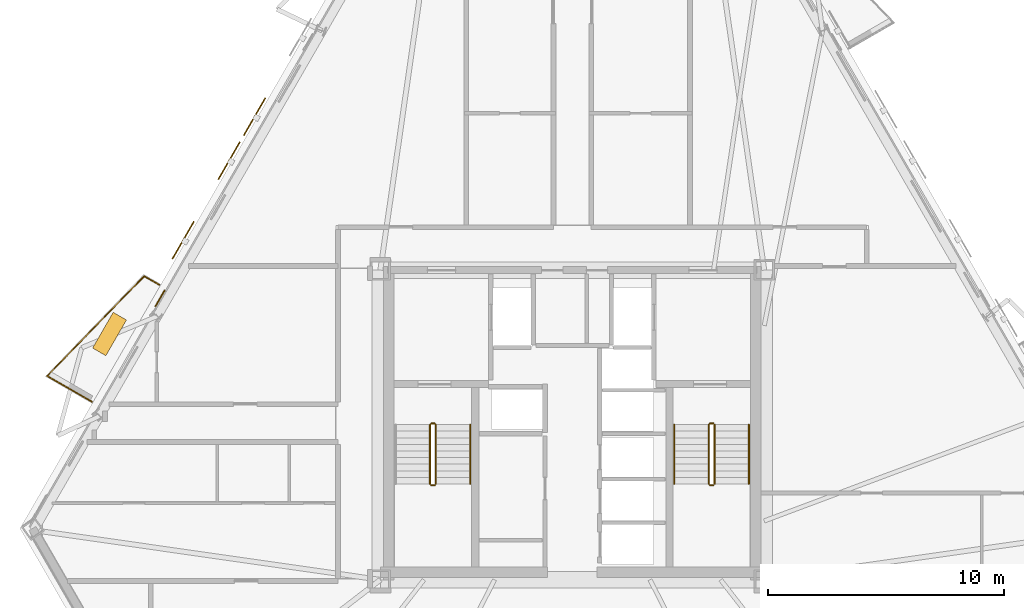
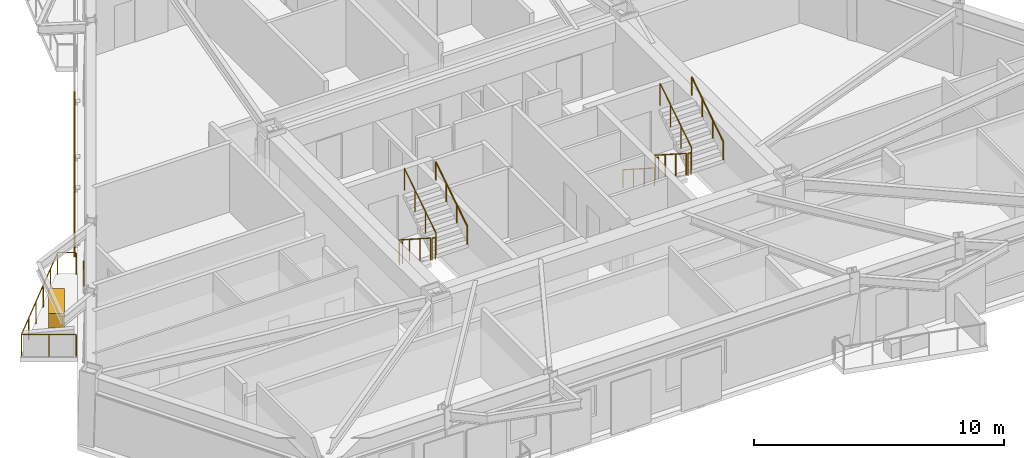
# One storey, part 8 of 9: 14 railings, 3 shading devices, 2 coverings.
"""IFC4 building model written with IfcOpenShell, lengths in metres."""

from ifc_helpers import new_model, si_unit, direction, frame, origin, origin_2d, place, context, subcontext, project, spatial, rectangle, circle, extrude, material, layer, layer_set, type_object, element, save


model = new_model("IFC4")

# Units and contexts
model_context = context("Model", 3, precision=1e-05, world=origin(), true_north=direction((0.0, 1.0)))
body_context = subcontext(model_context, "Body", "Model", "MODEL_VIEW")
ifc_project = project(units=[si_unit("LENGTHUNIT", "METRE"), si_unit("AREAUNIT", "SQUARE_METRE"), si_unit("VOLUMEUNIT", "CUBIC_METRE"), si_unit("PLANEANGLEUNIT", "RADIAN"), si_unit("MASSUNIT", "GRAM", prefix="KILO")], contexts=[model_context])

# Site, building, storey
site_placement = place(None, origin())
site = spatial("IfcSite", under=ifc_project, at=site_placement, CompositionType="ELEMENT")
building_placement = place(site_placement, origin())
building = spatial("IfcBuilding", under=site, at=building_placement, Name="Oramaril Tower", CompositionType="ELEMENT")
storey_placement = place(building_placement, frame((0.0, 0.0, 119.39990234375)))
storey = spatial("IfcBuildingStorey", under=building, at=storey_placement, Name="L31", CompositionType="ELEMENT", Elevation=119.39990234375)

# Coverings
ifc_material_1 = material(Name="Warm Cream Limestone", Category="masonry")
ifc_layer = layer(ifc_material_1, 0.050048828125)
ifc_layer_set = layer_set([ifc_layer], Name="CVT-CLD")
covering_type = type_object("IfcCoveringType", Name="CVT-CLD", PredefinedType="CLADDING", material=ifc_layer_set)
covering_1_placement = place(storey_placement, frame((20.000244140625, 22.949462890625, 0.0400390625), z_axis=(0.0, 0.0, 1.0), x_axis=(-0.5, -0.866025403784, 0.0)))
element("IfcCovering", 1, at=covering_1_placement, inside=storey, type_object=covering_type, Name="L31 Warm Cream Limestone Spandrel Cladding", PredefinedType="CLADDING", context=body_context, shape_type="SweptSolid", body=[
    extrude(rectangle(XDim=0.800048828125, YDim=0.050048828125, at=origin_2d()), origin(), (0.0, 0.0, 1.0), 0.679931640625),
])
covering_2_placement = place(storey_placement, frame((17.8525390625, 21.4365234375, 0.0), z_axis=(0.0, 0.0, 1.0), x_axis=(-0.5, -0.866025403784, 0.0)))
element("IfcCovering", 2, at=covering_2_placement, inside=storey, type_object=covering_type, Name="L31 Structural Tree Planter Box L31-BAL-NW2", PredefinedType="CLADDING", context=body_context, shape_type="SweptSolid", body=[
    extrude(rectangle(XDim=1.75, YDim=0.64990234375, at=origin_2d()), origin(), (0.0, 0.0, 1.0), 0.699951171875),
])

# Railings
ifc_material_2 = material(Name="Stainless Steel 316L", Category="steel")
railing_type_1 = type_object("IfcRailingType", Name="RLT-GRD", PredefinedType="GUARDRAIL", material=ifc_material_2)
railing_1_placement = place(storey_placement, frame((17.102783203125, 18.56103515625, 0.0)))
element("IfcRailing", 3, at=railing_1_placement, inside=storey, type_object=railing_type_1, Name="L31 Balcony Guardrail L31-BAL-NW2.1", PredefinedType="GUARDRAIL", context=body_context, shape_type="SweptSolid", body=[
    extrude(circle(Radius=0.02392578125, at=origin_2d()), frame((0.0, 0.0, 1.076171875), z_axis=(-0.866020500697, 0.5000084923, 0.0), x_axis=(-0.5000084923, -0.866020500697, 0.0)), (0.0, 0.0, 1.0), 2.19189453125),
    extrude(circle(Radius=0.02099609375, at=origin_2d()), origin(), (0.0, 0.0, 1.0), 1.052001953125),
    extrude(circle(Radius=0.02099609375, at=origin_2d()), frame((-0.94921875, 0.5478515625, 0.0)), (0.0, 0.0, 1.0), 1.052001953125),
    extrude(circle(Radius=0.02099609375, at=origin_2d()), frame((-1.898193359375, 1.095947265625, 0.0)), (0.0, 0.0, 1.0), 1.052001953125),
])
railing_2_placement = place(storey_placement, frame((15.20458984375, 19.656982421875, 0.0)))
element("IfcRailing", 4, at=railing_2_placement, inside=storey, type_object=railing_type_1, Name="L31 Balcony Guardrail L31-BAL-NW2.2", PredefinedType="GUARDRAIL", context=body_context, shape_type="SweptSolid", body=[
    extrude(circle(Radius=0.02392578125, at=origin_2d()), frame((0.0, 0.0, 1.076171875), z_axis=(0.697186915353, 0.716889395277, 0.0), x_axis=(-0.716889395277, 0.697186915353, 0.0)), (0.0, 0.0, 1.0), 5.91064453125),
    extrude(circle(Radius=0.02099609375, at=origin_2d()), origin(), (0.0, 0.0, 1.0), 1.052001953125),
    extrude(circle(Radius=0.02099609375, at=origin_2d()), frame((0.82421875, 0.847412109375, 0.0)), (0.0, 0.0, 1.0), 1.052001953125),
    extrude(circle(Radius=0.02099609375, at=origin_2d()), frame((1.6484375, 1.69482421875, 0.0)), (0.0, 0.0, 1.0), 1.052001953125),
    extrude(circle(Radius=0.02099609375, at=origin_2d()), frame((2.472412109375, 2.54248046875, 0.0)), (0.0, 0.0, 1.0), 1.052001953125),
    extrude(circle(Radius=0.02099609375, at=origin_2d()), frame((3.296630859375, 3.389892578125, 0.0)), (0.0, 0.0, 1.0), 1.052001953125),
    extrude(circle(Radius=0.02099609375, at=origin_2d()), frame((4.120849609375, 4.2373046875, 0.0)), (0.0, 0.0, 1.0), 1.052001953125),
])
railing_3_placement = place(storey_placement, frame((19.325439453125, 23.894287109375, 0.0)))
element("IfcRailing", 5, at=railing_3_placement, inside=storey, type_object=railing_type_1, Name="L31 Balcony Guardrail L31-BAL-NW2.3", PredefinedType="GUARDRAIL", context=body_context, shape_type="SweptSolid", body=[
    extrude(circle(Radius=0.02392578125, at=origin_2d()), frame((0.0, 0.0, 1.076171875), z_axis=(0.866108878364, -0.499855389907, 0.0), x_axis=(0.499855389907, 0.866108878364, 0.0)), (0.0, 0.0, 1.0), 0.741943359375),
    extrude(circle(Radius=0.02099609375, at=origin_2d()), origin(), (0.0, 0.0, 1.0), 1.052001953125),
    extrude(circle(Radius=0.02099609375, at=origin_2d()), frame((0.642578125, -0.370849609375, 0.0)), (0.0, 0.0, 1.0), 1.052001953125),
])
railing_4_placement = place(storey_placement, frame((31.4599609375, 17.590087890625, 0.18017578125)))
element("IfcRailing", 6, at=railing_4_placement, inside=storey, type_object=railing_type_1, Name="L31 ST-1 stair guard 1", PredefinedType="GUARDRAIL", context=body_context, shape_type="SweptSolid", body=[
    extrude(circle(Radius=0.02392578125, at=origin_2d()), frame((0.0, 0.0, 1.076171875), z_axis=(0.0, -0.841199657755, 0.540724639528), x_axis=(1.0, 0.0, 0.0)), (0.0, 0.0, 1.0), 2.995849609375),
    extrude(circle(Radius=0.02099609375, at=origin_2d()), origin(), (0.0, 0.0, 1.0), 1.052001953125),
    extrude(circle(Radius=0.02099609375, at=origin_2d()), frame((0.0, -0.840087890625, 0.5400390625)), (0.0, 0.0, 1.0), 1.052001953125),
    extrude(circle(Radius=0.02099609375, at=origin_2d()), frame((0.0, -1.679931640625, 1.079833984375)), (0.0, 0.0, 1.0), 1.052001953125),
    extrude(circle(Radius=0.02099609375, at=origin_2d()), frame((0.0, -2.52001953125, 1.619873046875)), (0.0, 0.0, 1.0), 1.052001953125),
])
railing_5_placement = place(storey_placement, frame((31.510009765625, 15.02001953125, 1.800048828125)))
element("IfcRailing", 7, at=railing_5_placement, inside=storey, type_object=railing_type_1, Name="L31 ST-1 stair guard 2", PredefinedType="GUARDRAIL", context=body_context, shape_type="SweptSolid", body=[
    extrude(circle(Radius=0.02392578125, at=origin_2d()), frame((0.0, 0.0, 1.076171875), z_axis=(1.0, 0.0, 0.0), x_axis=(0.0, 1.0, 0.0)), (0.0, 0.0, 1.0), 0.14990234375),
    extrude(circle(Radius=0.02099609375, at=origin_2d()), origin(), (0.0, 0.0, 1.0), 1.052001953125),
    extrude(circle(Radius=0.02099609375, at=origin_2d()), frame((0.14990234375, 0.0, 0.0)), (0.0, 0.0, 1.0), 1.052001953125),
])
railing_6_placement = place(storey_placement, frame((31.7099609375, 15.070068359375, 1.97998046875)))
element("IfcRailing", 8, at=railing_6_placement, inside=storey, type_object=railing_type_1, Name="L31 ST-1 stair guard 3", PredefinedType="GUARDRAIL", context=body_context, shape_type="SweptSolid", body=[
    extrude(circle(Radius=0.02392578125, at=origin_2d()), frame((0.0, 0.0, 1.076171875), z_axis=(0.0, 0.841162588446, 0.540782303519), x_axis=(-1.0, 0.0, 0.0)), (0.0, 0.0, 1.0), 2.995849609375),
    extrude(circle(Radius=0.02099609375, at=origin_2d()), origin(), (0.0, 0.0, 1.0), 1.052001953125),
    extrude(circle(Radius=0.02099609375, at=origin_2d()), frame((0.0, 0.840087890625, 0.5400390625)), (0.0, 0.0, 1.0), 1.052001953125),
    extrude(circle(Radius=0.02099609375, at=origin_2d()), frame((0.0, 1.679931640625, 1.080078125)), (0.0, 0.0, 1.0), 1.052001953125),
    extrude(circle(Radius=0.02099609375, at=origin_2d()), frame((0.0, 2.52001953125, 1.6201171875)), (0.0, 0.0, 1.0), 1.052001953125),
])
railing_7_placement = place(storey_placement, frame((31.510009765625, 17.639892578125, 0.0)))
element("IfcRailing", 9, at=railing_7_placement, inside=storey, type_object=railing_type_1, Name="L31 ST-1 stair guard 4", PredefinedType="GUARDRAIL", context=body_context, shape_type="SweptSolid", body=[
    extrude(circle(Radius=0.02392578125, at=origin_2d()), frame((0.0, 0.0, 1.076171875), z_axis=(1.0, 0.0, 0.0), x_axis=(0.0, 1.0, 0.0)), (0.0, 0.0, 1.0), 0.14990234375),
    extrude(circle(Radius=0.02099609375, at=origin_2d()), origin(), (0.0, 0.0, 1.0), 1.052001953125),
    extrude(circle(Radius=0.02099609375, at=origin_2d()), frame((0.14990234375, 0.0, 0.0)), (0.0, 0.0, 1.0), 1.052001953125),
])
railing_8_placement = place(storey_placement, frame((43.2900390625, 17.590087890625, 0.18017578125)))
element("IfcRailing", 10, at=railing_8_placement, inside=storey, type_object=railing_type_1, Name="L31 ST-2 stair guard 1", PredefinedType="GUARDRAIL", context=body_context, shape_type="SweptSolid", body=[
    extrude(circle(Radius=0.02392578125, at=origin_2d()), frame((0.0, 0.0, 1.076171875), z_axis=(0.0, -0.841199657755, 0.540724639528), x_axis=(1.0, 0.0, 0.0)), (0.0, 0.0, 1.0), 2.995849609375),
    extrude(circle(Radius=0.02099609375, at=origin_2d()), origin(), (0.0, 0.0, 1.0), 1.052001953125),
    extrude(circle(Radius=0.02099609375, at=origin_2d()), frame((0.0, -0.840087890625, 0.5400390625)), (0.0, 0.0, 1.0), 1.052001953125),
    extrude(circle(Radius=0.02099609375, at=origin_2d()), frame((0.0, -1.679931640625, 1.079833984375)), (0.0, 0.0, 1.0), 1.052001953125),
    extrude(circle(Radius=0.02099609375, at=origin_2d()), frame((0.0, -2.52001953125, 1.619873046875)), (0.0, 0.0, 1.0), 1.052001953125),
])
railing_9_placement = place(storey_placement, frame((43.340087890625, 15.02001953125, 1.800048828125)))
element("IfcRailing", 11, at=railing_9_placement, inside=storey, type_object=railing_type_1, Name="L31 ST-2 stair guard 2", PredefinedType="GUARDRAIL", context=body_context, shape_type="SweptSolid", body=[
    extrude(circle(Radius=0.02392578125, at=origin_2d()), frame((0.0, 0.0, 1.076171875), z_axis=(1.0, 0.0, 0.0), x_axis=(0.0, 1.0, 0.0)), (0.0, 0.0, 1.0), 0.14990234375),
    extrude(circle(Radius=0.02099609375, at=origin_2d()), origin(), (0.0, 0.0, 1.0), 1.052001953125),
    extrude(circle(Radius=0.02099609375, at=origin_2d()), frame((0.14990234375, 0.0, 0.0)), (0.0, 0.0, 1.0), 1.052001953125),
])
railing_10_placement = place(storey_placement, frame((43.5400390625, 15.070068359375, 1.97998046875)))
element("IfcRailing", 12, at=railing_10_placement, inside=storey, type_object=railing_type_1, Name="L31 ST-2 stair guard 3", PredefinedType="GUARDRAIL", context=body_context, shape_type="SweptSolid", body=[
    extrude(circle(Radius=0.02392578125, at=origin_2d()), frame((0.0, 0.0, 1.076171875), z_axis=(0.0, 0.841162588446, 0.540782303519), x_axis=(-1.0, 0.0, 0.0)), (0.0, 0.0, 1.0), 2.995849609375),
    extrude(circle(Radius=0.02099609375, at=origin_2d()), origin(), (0.0, 0.0, 1.0), 1.052001953125),
    extrude(circle(Radius=0.02099609375, at=origin_2d()), frame((0.0, 0.840087890625, 0.5400390625)), (0.0, 0.0, 1.0), 1.052001953125),
    extrude(circle(Radius=0.02099609375, at=origin_2d()), frame((0.0, 1.679931640625, 1.080078125)), (0.0, 0.0, 1.0), 1.052001953125),
    extrude(circle(Radius=0.02099609375, at=origin_2d()), frame((0.0, 2.52001953125, 1.6201171875)), (0.0, 0.0, 1.0), 1.052001953125),
])
railing_11_placement = place(storey_placement, frame((43.340087890625, 17.639892578125, 0.0)))
element("IfcRailing", 13, at=railing_11_placement, inside=storey, type_object=railing_type_1, Name="L31 ST-2 stair guard 4", PredefinedType="GUARDRAIL", context=body_context, shape_type="SweptSolid", body=[
    extrude(circle(Radius=0.02392578125, at=origin_2d()), frame((0.0, 0.0, 1.076171875), z_axis=(1.0, 0.0, 0.0), x_axis=(0.0, 1.0, 0.0)), (0.0, 0.0, 1.0), 0.14990234375),
    extrude(circle(Radius=0.02099609375, at=origin_2d()), origin(), (0.0, 0.0, 1.0), 1.052001953125),
    extrude(circle(Radius=0.02099609375, at=origin_2d()), frame((0.14990234375, 0.0, 0.0)), (0.0, 0.0, 1.0), 1.052001953125),
])
ifc_material_3 = material(Name="Stainless Steel 316L", Category="steel")
railing_type_2 = type_object("IfcRailingType", Name="RLT-HND", PredefinedType="HANDRAIL", material=ifc_material_3)
railing_12_placement = place(storey_placement, frame((33.169921875, 15.070068359375, 1.97998046875)))
element("IfcRailing", 14, at=railing_12_placement, inside=storey, type_object=railing_type_2, Name="L31 ST-1 stair handrail 2", PredefinedType="HANDRAIL", context=body_context, shape_type="SweptSolid", body=[
    extrude(circle(Radius=0.02392578125, at=origin_2d()), frame((0.0, 0.0, 0.8759765625), z_axis=(0.0, 0.841162588446, 0.540782303519), x_axis=(-1.0, 0.0, 0.0)), (0.0, 0.0, 1.0), 2.995849609375),
    extrude(circle(Radius=0.02099609375, at=origin_2d()), origin(), (0.0, 0.0, 1.0), 0.851806640625),
    extrude(circle(Radius=0.02099609375, at=origin_2d()), frame((0.0, 0.840087890625, 0.5400390625)), (0.0, 0.0, 1.0), 0.851806640625),
    extrude(circle(Radius=0.02099609375, at=origin_2d()), frame((0.0, 1.679931640625, 1.080078125)), (0.0, 0.0, 1.0), 0.851806640625),
    extrude(circle(Radius=0.02099609375, at=origin_2d()), frame((0.0, 2.52001953125, 1.6201171875)), (0.0, 0.0, 1.0), 0.851806640625),
])
railing_13_placement = place(storey_placement, frame((41.830078125, 17.590087890625, 0.18017578125)))
element("IfcRailing", 15, at=railing_13_placement, inside=storey, type_object=railing_type_2, Name="L31 ST-2 stair handrail 1", PredefinedType="HANDRAIL", context=body_context, shape_type="SweptSolid", body=[
    extrude(circle(Radius=0.02392578125, at=origin_2d()), frame((0.0, 0.0, 0.8759765625), z_axis=(0.0, -0.841199657755, 0.540724639528), x_axis=(1.0, 0.0, 0.0)), (0.0, 0.0, 1.0), 2.995849609375),
    extrude(circle(Radius=0.02099609375, at=origin_2d()), origin(), (0.0, 0.0, 1.0), 0.851806640625),
    extrude(circle(Radius=0.02099609375, at=origin_2d()), frame((0.0, -0.840087890625, 0.5400390625)), (0.0, 0.0, 1.0), 0.851806640625),
    extrude(circle(Radius=0.02099609375, at=origin_2d()), frame((0.0, -1.679931640625, 1.079833984375)), (0.0, 0.0, 1.0), 0.851806640625),
    extrude(circle(Radius=0.02099609375, at=origin_2d()), frame((0.0, -2.52001953125, 1.619873046875)), (0.0, 0.0, 1.0), 0.851806640625),
])
railing_14_placement = place(storey_placement, frame((45.0, 15.070068359375, 1.97998046875)))
element("IfcRailing", 16, at=railing_14_placement, inside=storey, type_object=railing_type_2, Name="L31 ST-2 stair handrail 2", PredefinedType="HANDRAIL", context=body_context, shape_type="SweptSolid", body=[
    extrude(circle(Radius=0.02392578125, at=origin_2d()), frame((0.0, 0.0, 0.8759765625), z_axis=(0.0, 0.841162588446, 0.540782303519), x_axis=(-1.0, 0.0, 0.0)), (0.0, 0.0, 1.0), 2.995849609375),
    extrude(circle(Radius=0.02099609375, at=origin_2d()), origin(), (0.0, 0.0, 1.0), 0.851806640625),
    extrude(circle(Radius=0.02099609375, at=origin_2d()), frame((0.0, 0.840087890625, 0.5400390625)), (0.0, 0.0, 1.0), 0.851806640625),
    extrude(circle(Radius=0.02099609375, at=origin_2d()), frame((0.0, 1.679931640625, 1.080078125)), (0.0, 0.0, 1.0), 0.851806640625),
    extrude(circle(Radius=0.02099609375, at=origin_2d()), frame((0.0, 2.52001953125, 1.6201171875)), (0.0, 0.0, 1.0), 0.851806640625),
])

# Shading devices
for number, where, z_axis, x_axis, name in (
    (17, (24.009033203125, 30.666748046875, -0.02001953125), (0.0, 0.0, 1.0), (-0.5, -0.866025403784, 0.0), "L31 Perforated Ceramic Solar Screen"),
    (18, (22.92822265625, 28.794677734375, -0.02001953125), (0.0, 0.0, 1.0), (-0.5, -0.866025403784, 0.0), "L31 Perforated Ceramic Solar Screen"),
    (19, (20.978271484375, 25.4169921875, -0.02001953125), (0.0, 0.0, 1.0), (-0.5, -0.866025403784, 0.0), "L31 Perforated Ceramic Solar Screen"),
):
    element("IfcShadingDevice", number, at=place(storey_placement, frame(where, z_axis=z_axis, x_axis=x_axis)), inside=storey, Name=name, ObjectType="SCREEN", PredefinedType="USERDEFINED", context=body_context, shape_type="SweptSolid", body=[
        extrude(rectangle(XDim=1.8330078125, YDim=0.050048828125, at=origin_2d()), origin(), (0.0, 0.0, 1.0), 2.577880859375),
    ])

save(model, "model.ifc")
